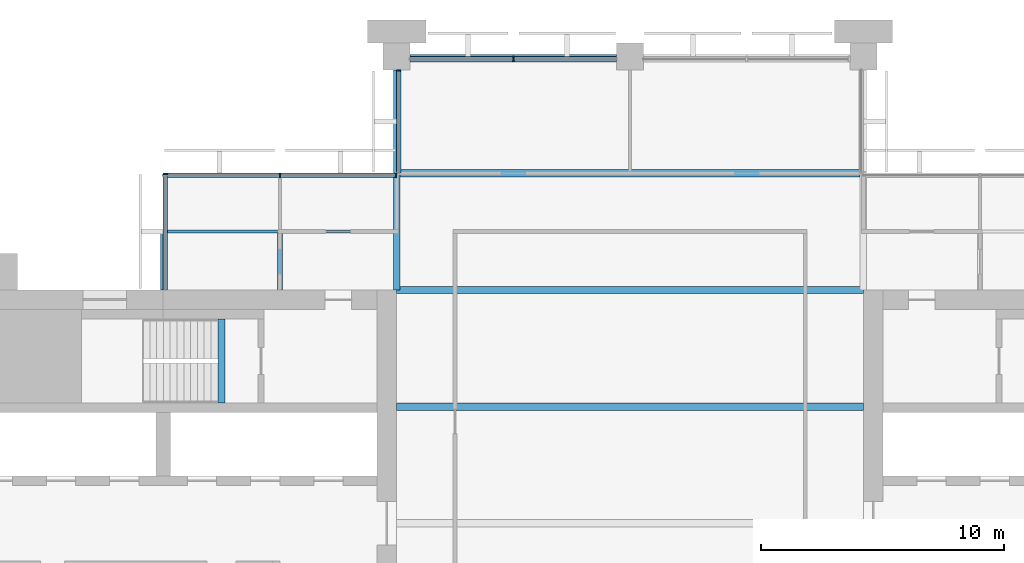
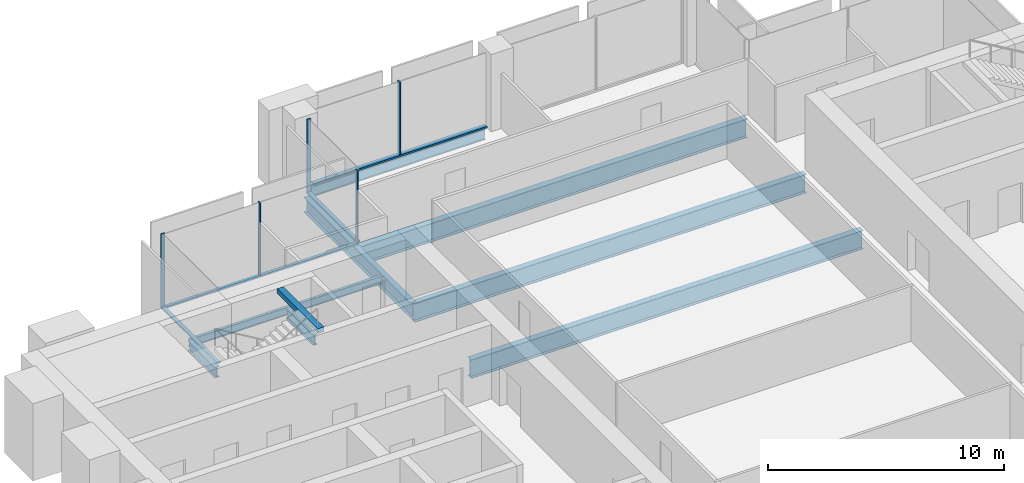
# One storey, part 5 of 13: 9 beams, 9 members, 4 elements without a shape of their own.
"""IFC4 building model written with IfcOpenShell, lengths in metres."""

from ifc_helpers import new_model, si_unit, direction, frame, origin, origin_2d, place, context, subcontext, project, spatial, rectangle, i_section, extrude, material, material_profile, profile_set, type_object, element, aggregate, save


model = new_model("IFC4")

# Units and contexts
model_context = context("Model", 3, precision=1e-05, world=origin(), true_north=direction((0.0, 1.0)))
body_context = subcontext(model_context, "Body", "Model", "MODEL_VIEW")
ifc_project = project(units=[si_unit("LENGTHUNIT", "METRE"), si_unit("AREAUNIT", "SQUARE_METRE"), si_unit("VOLUMEUNIT", "CUBIC_METRE"), si_unit("PLANEANGLEUNIT", "RADIAN"), si_unit("MASSUNIT", "GRAM", prefix="KILO")], contexts=[model_context])

# Site, building, storey
site_placement = place(None, origin())
site = spatial("IfcSite", under=ifc_project, at=site_placement, CompositionType="ELEMENT")
building_placement = place(site_placement, origin())
building = spatial("IfcBuilding", under=site, at=building_placement, Name="Baori Bourse Tower", CompositionType="ELEMENT")
storey_placement = place(building_placement, frame((0.0, 0.0, 253.199951171875)))
storey = spatial("IfcBuildingStorey", under=building, at=storey_placement, Name="L56", CompositionType="ELEMENT", Elevation=253.199951171875)

# Curtain wall, member
ifc_material_1 = material(Name="Pale anodised aluminium", Category="aluminium")
curtain_wall_type_1 = type_object("IfcCurtainWallType", Name="CW2 Curtain wall", PredefinedType="NOTDEFINED", material=ifc_material_1)
curtain_wall_1_placement = place(storey_placement, origin())
curtain_wall_1 = element("IfcCurtainWall", 1, at=curtain_wall_1_placement, inside=storey, type_object=curtain_wall_type_1, Name="Curtain wall CW2 L56 5", PredefinedType="NOTDEFINED")
ifc_material_2 = material(Name="Pale anodised aluminium", Category="aluminium")
ifc_material_profile_1 = material_profile(ifc_material_2, rectangle(XDim=0.179931640625, YDim=0.054931640625, at=origin_2d()), Name="Mullion 55x180")
ifc_profile_set_1 = profile_set([ifc_material_profile_1], Name="Pale anodised aluminium")
member_type_1 = type_object("IfcMemberType", Name="CW2 Curtain wall mullion", PredefinedType="MULLION", material=ifc_profile_set_1)
member_1_placement = place(storey_placement, frame((19.2900390625, 47.422607421875, 0.070068359375), z_axis=(0.0, 0.0, 1.0), x_axis=(1.0, 0.0, 0.0)))
member_1 = element("IfcMember", 2, at=member_1_placement, type_object=member_type_1, Name="Curtain wall CW2 mullion", PredefinedType="MULLION", context=body_context, shape_type="SweptSolid", body=[
    extrude(rectangle(XDim=0.179931640625, YDim=0.054931640625, at=origin_2d()), origin(), (0.0, 0.0, 1.0), 3.77001953125),
])

# Curtain wall, members
curtain_wall_2_placement = place(storey_placement, origin())
curtain_wall_2 = element("IfcCurtainWall", 3, at=curtain_wall_2_placement, inside=storey, type_object=curtain_wall_type_1, Name="Curtain wall CW2 L56 6", PredefinedType="NOTDEFINED")
member_2_placement = place(storey_placement, frame((19.172607421875, 43.110107421875, 0.070068359375), z_axis=(0.0, 0.0, 1.0), x_axis=(0.0, -1.0, 0.0)))
member_2 = element("IfcMember", 4, at=member_2_placement, type_object=member_type_1, Name="Curtain wall CW2 mullion", PredefinedType="MULLION", context=body_context, shape_type="SweptSolid", body=[
    extrude(rectangle(XDim=0.179931640625, YDim=0.054931640625, at=origin_2d()), origin(), (0.0, 0.0, 1.0), 3.77001953125),
])
member_3_placement = place(storey_placement, frame((14.39990234375, 43.110107421875, 0.070068359375), z_axis=(0.0, 0.0, 1.0), x_axis=(0.0, -1.0, 0.0)))
member_3 = element("IfcMember", 5, at=member_3_placement, type_object=member_type_1, Name="Curtain wall CW2 mullion", PredefinedType="MULLION", context=body_context, shape_type="SweptSolid", body=[
    extrude(rectangle(XDim=0.179931640625, YDim=0.054931640625, at=origin_2d()), origin(), (0.0, 0.0, 1.0), 3.77001953125),
])

# Curtain wall, member
curtain_wall_3_placement = place(storey_placement, origin())
curtain_wall_3 = element("IfcCurtainWall", 6, at=curtain_wall_3_placement, inside=storey, type_object=curtain_wall_type_1, Name="Curtain wall CW2 L56 7", PredefinedType="NOTDEFINED")
member_4_placement = place(storey_placement, frame((9.68994140625, 43.172607421875, 0.070068359375), z_axis=(0.0, 0.0, 1.0), x_axis=(1.0, 0.0, 0.0)))
member_4 = element("IfcMember", 7, at=member_4_placement, type_object=member_type_1, Name="Curtain wall CW2 mullion", PredefinedType="MULLION", context=body_context, shape_type="SweptSolid", body=[
    extrude(rectangle(XDim=0.179931640625, YDim=0.054931640625, at=origin_2d()), origin(), (0.0, 0.0, 1.0), 3.77001953125),
])

# Member
ifc_material_3 = material(Name="Pale anodised aluminium", Category="aluminium")
ifc_material_profile_2 = material_profile(ifc_material_3, rectangle(XDim=0.179931640625, YDim=0.070068359375, at=origin_2d()), Name="Transom 70x180")
ifc_profile_set_2 = profile_set([ifc_material_profile_2], Name="Pale anodised aluminium")
member_type_2 = type_object("IfcMemberType", Name="CW2 Curtain wall transom", PredefinedType="USERDEFINED", material=ifc_profile_set_2)
member_5_placement = place(storey_placement, frame((19.2900390625, 47.449951171875, 0.03515625), z_axis=(0.0, -1.0, 0.0), x_axis=(1.0, 0.0, 0.0)))
member_5 = element("IfcMember", 8, at=member_5_placement, type_object=member_type_2, Name="Curtain wall CW2 sill rail", ObjectType="TRANSOM", PredefinedType="USERDEFINED", context=body_context, shape_type="SweptSolid", body=[
    extrude(rectangle(XDim=0.179931640625, YDim=0.070068359375, at=origin_2d()), origin(), (0.0, 0.0, 1.0), 4.25),
])

aggregate(curtain_wall_1, [member_5, member_1])

member_6_placement = place(storey_placement, frame((19.199951171875, 43.110107421875, 0.03515625), z_axis=(-1.0, 0.0, 0.0), x_axis=(0.0, -1.0, 0.0)))
member_6 = element("IfcMember", 9, at=member_6_placement, type_object=member_type_2, Name="Curtain wall CW2 sill rail", ObjectType="TRANSOM", PredefinedType="USERDEFINED", context=body_context, shape_type="SweptSolid", body=[
    extrude(rectangle(XDim=0.179931640625, YDim=0.070068359375, at=origin_2d()), origin(), (0.0, 0.0, 1.0), 9.599853515625),
])

aggregate(curtain_wall_2, [member_6, member_2, member_3])

member_7_placement = place(storey_placement, frame((9.68994140625, 43.199951171875, 0.03515625), z_axis=(0.0, -1.0, 0.0), x_axis=(1.0, 0.0, 0.0)))
member_7 = element("IfcMember", 10, at=member_7_placement, type_object=member_type_2, Name="Curtain wall CW2 sill rail", ObjectType="TRANSOM", PredefinedType="USERDEFINED", context=body_context, shape_type="SweptSolid", body=[
    extrude(rectangle(XDim=0.179931640625, YDim=0.070068359375, at=origin_2d()), origin(), (0.0, 0.0, 1.0), 4.800048828125),
])

aggregate(curtain_wall_3, [member_7, member_4])

# Curtain wall, members
ifc_material_4 = material(Name="Pale anodised aluminium", Category="aluminium")
curtain_wall_type_2 = type_object("IfcCurtainWallType", Name="CW5 Curtain wall", PredefinedType="NOTDEFINED", material=ifc_material_4)
curtain_wall_4_placement = place(storey_placement, origin())
curtain_wall_4 = element("IfcCurtainWall", 11, at=curtain_wall_4_placement, inside=storey, type_object=curtain_wall_type_2, Name="Curtain wall CW5 L56 4", PredefinedType="NOTDEFINED")
ifc_material_5 = material(Name="Pale anodised aluminium", Category="aluminium")
ifc_material_profile_3 = material_profile(ifc_material_5, rectangle(XDim=0.219970703125, YDim=0.06494140625, at=origin_2d()), Name="Mullion 65x220")
ifc_profile_set_3 = profile_set([ifc_material_profile_3], Name="Pale anodised aluminium")
member_type_3 = type_object("IfcMemberType", Name="CW5 Curtain wall mullion", PredefinedType="MULLION", material=ifc_profile_set_3)
member_8_placement = place(storey_placement, frame((24.0, 47.889892578125, 0.0849609375), z_axis=(0.0, 0.0, 1.0), x_axis=(0.0, -1.0, 0.0)))
member_8 = element("IfcMember", 12, at=member_8_placement, type_object=member_type_3, Name="Curtain wall CW5 mullion", PredefinedType="MULLION", context=body_context, shape_type="SweptSolid", body=[
    extrude(rectangle(XDim=0.219970703125, YDim=0.06494140625, at=origin_2d()), origin(), (0.0, 0.0, 1.0), 3.755126953125),
])
ifc_material_6 = material(Name="Pale anodised aluminium", Category="aluminium")
ifc_material_profile_4 = material_profile(ifc_material_6, rectangle(XDim=0.219970703125, YDim=0.0849609375, at=origin_2d()), Name="Transom 85x220")
ifc_profile_set_4 = profile_set([ifc_material_profile_4], Name="Pale anodised aluminium")
member_type_4 = type_object("IfcMemberType", Name="CW5 Curtain wall transom", PredefinedType="USERDEFINED", material=ifc_profile_set_4)
member_9_placement = place(storey_placement, frame((28.25, 47.889892578125, 0.04248046875), z_axis=(-1.0, 0.0, 0.0), x_axis=(0.0, -1.0, 0.0)))
member_9 = element("IfcMember", 13, at=member_9_placement, type_object=member_type_4, Name="Curtain wall CW5 sill rail", ObjectType="TRANSOM", PredefinedType="USERDEFINED", context=body_context, shape_type="SweptSolid", body=[
    extrude(rectangle(XDim=0.219970703125, YDim=0.0849609375, at=origin_2d()), origin(), (0.0, 0.0, 1.0), 8.5),
])
aggregate(curtain_wall_4, [member_9, member_8])

# Beams
ifc_material_7 = material(Name="Steel A992 Gr 50", Category="steel")
ifc_material_profile_5 = material_profile(ifc_material_7, i_section(OverallWidth=0.21240234375, OverallDepth=0.54345703125, WebThickness=0.01318359375, FlangeThickness=0.021240234375, at=origin_2d()), Name="W21x83")
ifc_profile_set_5 = profile_set([ifc_material_profile_5], Name="Steel A992 Gr 50")
beam_type_1 = type_object("IfcBeamType", Name="Core bracket W21x83", PredefinedType="BEAM", material=ifc_profile_set_5)
for number, where, z_axis, x_axis, name in (
    (14, (9.60009765625, 38.39990234375, -0.431640625), (0.0, 1.0, 0.0), (-1.0, 0.0, 0.0), "Core bracket L56"),
    (15, (14.39990234375, 38.39990234375, -0.431640625), (0.0, 1.0, 0.0), (-1.0, 0.0, 0.0), "Core bracket L56"),
):
    element("IfcBeam", number, at=place(storey_placement, frame(where, z_axis=z_axis, x_axis=x_axis)), inside=storey, type_object=beam_type_1, Name=name, PredefinedType="BEAM", context=body_context, shape_type="SweptSolid", body=[
        extrude(i_section(OverallWidth=0.21240234375, OverallDepth=0.54345703125, WebThickness=0.01318359375, FlangeThickness=0.021240234375, at=origin_2d()), origin(), (0.0, 0.0, 1.0), 2.329833984375),
    ])
ifc_material_8 = material(Name="Steel A992 Gr 50", Category="steel")
ifc_material_profile_6 = material_profile(ifc_material_8, i_section(OverallWidth=0.1650390625, OverallDepth=0.52587890625, WebThickness=0.0087890625, FlangeThickness=0.011474609375, at=origin_2d()), Name="W21x44")
ifc_profile_set_6 = profile_set([ifc_material_profile_6], Name="Steel A992 Gr 50")
beam_type_2 = type_object("IfcBeamType", Name="Edge beam W21x44", PredefinedType="BEAM", material=ifc_profile_set_6)
beam_1_placement = place(storey_placement, frame((19.75, 48.0, -0.4228515625), z_axis=(1.0, 0.0, 0.0), x_axis=(0.0, 1.0, 0.0)))
element("IfcBeam", 16, at=beam_1_placement, inside=storey, type_object=beam_type_2, Name="Edge beam L56", PredefinedType="BEAM", context=body_context, shape_type="SweptSolid", body=[
    extrude(i_section(OverallWidth=0.1650390625, OverallDepth=0.52587890625, WebThickness=0.0087890625, FlangeThickness=0.011474609375, at=origin_2d()), origin(), (0.0, 0.0, 1.0), 8.5),
])
ifc_material_9 = material(Name="Steel A992 Gr 50", Category="steel")
ifc_material_profile_7 = material_profile(ifc_material_9, i_section(OverallWidth=0.2998046875, OverallDepth=0.97021484375, WebThickness=0.01611328125, FlangeThickness=0.02099609375, at=origin_2d()), Name="W40x149")
ifc_profile_set_7 = profile_set([ifc_material_profile_7], Name="Steel A992 Gr 50")
beam_type_3 = type_object("IfcBeamType", Name="Floor beam W40x149", PredefinedType="BEAM", material=ifc_profile_set_7)
for number, where, z_axis, x_axis, name in (
    (17, (19.199951171875, 33.60009765625, -0.64501953125), (1.0, 0.0, 0.0), (0.0, 1.0, 0.0), "Floor beam L56"),
    (18, (19.199951171875, 38.39990234375, -0.64501953125), (1.0, 0.0, 0.0), (0.0, 1.0, 0.0), "Floor beam L56"),
):
    element("IfcBeam", number, at=place(storey_placement, frame(where, z_axis=z_axis, x_axis=x_axis)), inside=storey, type_object=beam_type_3, Name=name, PredefinedType="BEAM", context=body_context, shape_type="SweptSolid", body=[
        extrude(i_section(OverallWidth=0.2998046875, OverallDepth=0.97021484375, WebThickness=0.01611328125, FlangeThickness=0.02099609375, at=origin_2d()), origin(), (0.0, 0.0, 1.0), 19.199951171875),
    ])
beam_2_placement = place(storey_placement, frame((19.333251953125, 43.199951171875, -0.64501953125), z_axis=(1.0, 0.0, 0.0), x_axis=(0.0, 1.0, 0.0)))
element("IfcBeam", 19, at=beam_2_placement, inside=storey, type_object=beam_type_3, Name="Floor beam L56", PredefinedType="BEAM", context=body_context, shape_type="SweptSolid", body=[
    extrude(i_section(OverallWidth=0.2998046875, OverallDepth=0.97021484375, WebThickness=0.01611328125, FlangeThickness=0.02099609375, at=origin_2d()), origin(), (0.0, 0.0, 1.0), 18.933349609375),
])
ifc_material_10 = material(Name="Steel A992 Gr 50", Category="steel")
ifc_material_profile_8 = material_profile(ifc_material_10, i_section(OverallWidth=0.2666015625, OverallDepth=0.76953125, WebThickness=0.015625, FlangeThickness=0.025390625, at=origin_2d()), Name="W30x132")
ifc_profile_set_8 = profile_set([ifc_material_profile_8], Name="Steel A992 Gr 50")
beam_type_4 = type_object("IfcBeamType", Name="Girder W30x132", PredefinedType="BEAM", material=ifc_profile_set_8)
beam_3_placement = place(storey_placement, frame((19.199951171875, 38.39990234375, -0.544677734375), z_axis=(0.0, 1.0, 0.0), x_axis=(-1.0, 0.0, 0.0)))
element("IfcBeam", 20, at=beam_3_placement, inside=storey, type_object=beam_type_4, Name="Girder L56", PredefinedType="BEAM", context=body_context, shape_type="SweptSolid", body=[
    extrude(i_section(OverallWidth=0.2666015625, OverallDepth=0.76953125, WebThickness=0.015625, FlangeThickness=0.025390625, at=origin_2d()), origin(), (0.0, 0.0, 1.0), 9.050048828125),
])
ifc_material_11 = material(Name="Concrete f'c 50 MPa", Category="concrete")
ifc_material_profile_9 = material_profile(ifc_material_11, rectangle(XDim=0.300048828125, YDim=0.25, at=origin_2d()), Name="RC 300x250")
ifc_profile_set_9 = profile_set([ifc_material_profile_9], Name="Concrete f'c 50 MPa")
beam_type_5 = type_object("IfcBeamType", Name="Stair nib beam RC 300x250", PredefinedType="BEAM", material=ifc_profile_set_9)
beam_4_placement = place(storey_placement, frame((12.0, 33.75, 3.715087890625), z_axis=(0.0, 1.0, 0.0), x_axis=(-1.0, 0.0, 0.0)))
element("IfcBeam", 21, at=beam_4_placement, inside=storey, type_object=beam_type_5, Name="Stair WB nib beam L57", PredefinedType="BEAM", context=body_context, shape_type="SweptSolid", body=[
    extrude(rectangle(XDim=0.300048828125, YDim=0.25, at=origin_2d()), origin(), (0.0, 0.0, 1.0), 3.449951171875),
])
ifc_material_12 = material(Name="Steel A992 Gr 50", Category="steel")
ifc_material_profile_10 = material_profile(ifc_material_12, i_section(OverallWidth=0.140380859375, OverallDepth=0.40380859375, WebThickness=0.007080078125, FlangeThickness=0.01123046875, at=origin_2d()), Name="W16x31")
ifc_profile_set_10 = profile_set([ifc_material_profile_10], Name="Steel A992 Gr 50")
beam_type_6 = type_object("IfcBeamType", Name="Trimmer beam W16x31", PredefinedType="BEAM", material=ifc_profile_set_10)
beam_5_placement = place(storey_placement, frame((9.60009765625, 40.800048828125, -0.36181640625), z_axis=(1.0, 0.0, 0.0), x_axis=(0.0, 1.0, 0.0)))
element("IfcBeam", 22, at=beam_5_placement, inside=storey, type_object=beam_type_6, Name="Trimmer beam L56", PredefinedType="BEAM", context=body_context, shape_type="SweptSolid", body=[
    extrude(i_section(OverallWidth=0.140380859375, OverallDepth=0.40380859375, WebThickness=0.007080078125, FlangeThickness=0.01123046875, at=origin_2d()), origin(), (0.0, 0.0, 1.0), 9.466552734375),
])

save(model, "model.ifc")
